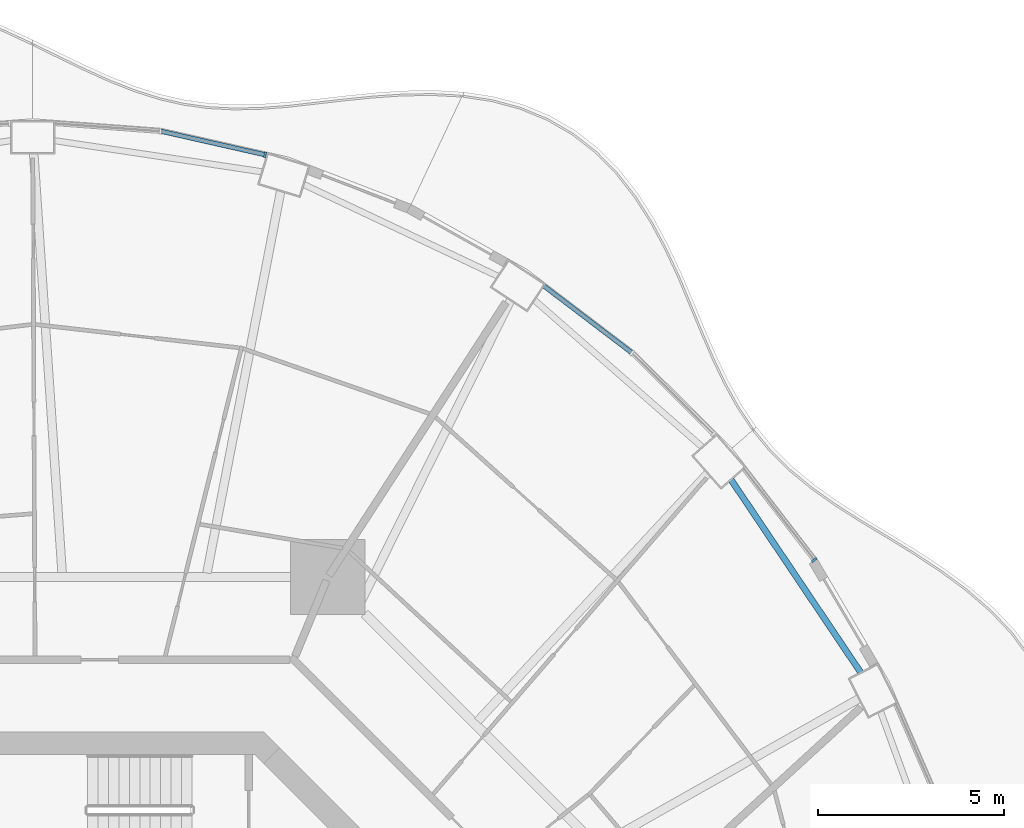
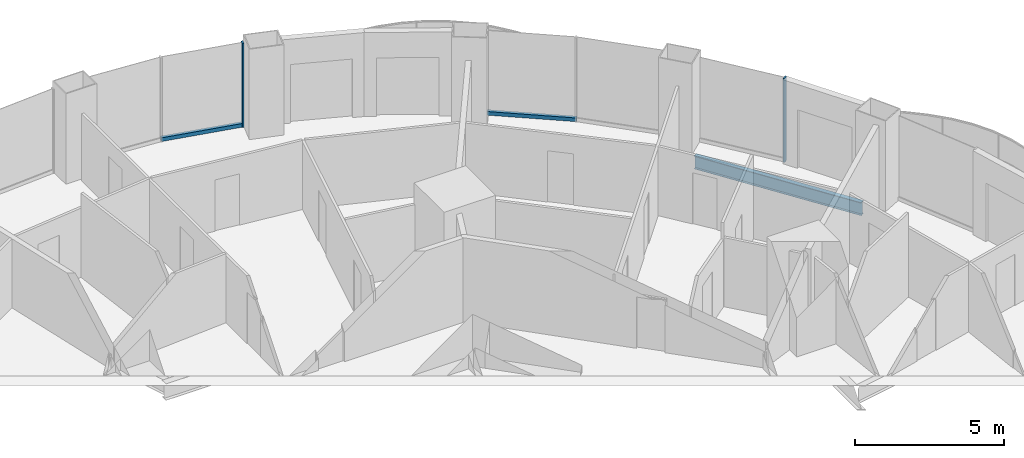
# One storey, part 9 of 20: 4 members, 1 beam, 3 elements without a shape of their own.
"""IFC4 building model written with IfcOpenShell, lengths in metres."""

import ifcopenshell
import ifcopenshell.guid

model = None  # the IFC model being written
_history = None  # IfcOwnerHistory: only IFC2X3 demands one
_inside = {}  # id of a spatial element -> (the spatial element, [elements in it])
_under = {}  # id of a project, library or spatial element -> (it, [spatial elements below it])
_declared = {}  # id of a project -> (the project, [libraries it declares])
_typed = {}  # id of a type object -> (the type object, [elements of that type])
_made_of = {}  # id of a material, layer set ... -> (it, [elements and type objects made of it])


def new_model(schema):
    """Start an empty IFC model of exactly this schema.

    Asked for "IFC4X3", IfcOpenShell would pick the latest addendum, in which some entities
    have other attributes; the version numbers below select the first issue.
    IFC2X3 requires an IfcOwnerHistory on every rooted entity: one is made here for all.
    """
    global model, _history
    if schema == "IFC4X3":
        model = ifcopenshell.file(schema_version=(4, 3, 0, 0))
    else:
        model = ifcopenshell.file(schema=schema)
    _inside.clear()
    _under.clear()
    _declared.clear()
    _typed.clear()
    _made_of.clear()
    _history = None
    if model.schema == "IFC2X3":
        org = make("IfcOrganization", Name="unknown")
        user = make(
            "IfcPersonAndOrganization",
            ThePerson=make("IfcPerson", FamilyName="unknown"),
            TheOrganization=org,
        )
        app = make(
            "IfcApplication",
            ApplicationDeveloper=org,
            Version="unknown",
            ApplicationFullName="unknown",
            ApplicationIdentifier="unknown",
        )
        _history = make(
            "IfcOwnerHistory",
            OwningUser=user,
            OwningApplication=app,
            ChangeAction="ADDED",
            CreationDate=0,
        )
    return model


def make(cls, **values):
    """One entity of the class cls with the attributes given. An attribute that is None is left unset."""
    return model.create_entity(
        cls, **{name: value for name, value in values.items() if value is not None}
    )


def rooted(cls, **values):
    """An entity with a GlobalId (a new one), such as an element, a storey or a relation."""
    return make(cls, GlobalId=ifcopenshell.guid.new(), OwnerHistory=_history, **values)


def si_unit(unit_type, name, prefix=None):
    """IfcSIUnit, for example si_unit("LENGTHUNIT", "METRE", prefix="MILLI")."""
    return make("IfcSIUnit", UnitType=unit_type, Prefix=prefix, Name=name)


def assignment(units):
    """IfcUnitAssignment: the units of a project."""
    return None if units is None else make("IfcUnitAssignment", Units=units)


def point(xyz):
    """IfcCartesianPoint."""
    return None if xyz is None else make("IfcCartesianPoint", Coordinates=xyz)


def direction(xyz):
    """IfcDirection."""
    return None if xyz is None else make("IfcDirection", DirectionRatios=xyz)


def frame(location, z_axis=None, x_axis=None):
    """IfcAxis2Placement3D, a coordinate frame: its origin and axes. An axis left out is left unset."""
    return make(
        "IfcAxis2Placement3D",
        Location=point(location),
        Axis=direction(z_axis),
        RefDirection=direction(x_axis),
    )


def frame_2d(location, x_axis=None):
    """IfcAxis2Placement2D, a coordinate frame in the plane: its origin and x axis."""
    return make(
        "IfcAxis2Placement2D", Location=point(location), RefDirection=direction(x_axis)
    )


def origin():
    """The frame at (0, 0, 0) with its axes left unset."""
    return frame((0.0, 0.0, 0.0))


def origin_2d():
    """The frame at (0, 0) in the plane with its x axis left unset."""
    return frame_2d((0.0, 0.0))


def place(relative_to, where):
    """IfcLocalPlacement: puts the frame where relative to a parent placement (None: the world)."""
    return make(
        "IfcLocalPlacement", PlacementRelTo=relative_to, RelativePlacement=where
    )


def context(
    kind, dimensions, precision=None, world=None, true_north=None, identifier=None
):
    """IfcGeometricRepresentationContext, for example the 3D "Model" context."""
    return make(
        "IfcGeometricRepresentationContext",
        ContextIdentifier=identifier,
        ContextType=kind,
        CoordinateSpaceDimension=dimensions,
        Precision=precision,
        WorldCoordinateSystem=world,
        TrueNorth=true_north,
    )


def subcontext(parent, identifier, kind, view, scale=None):
    """IfcGeometricRepresentationSubContext, for example "Body" below "Model"."""
    return make(
        "IfcGeometricRepresentationSubContext",
        ContextIdentifier=identifier,
        ContextType=kind,
        ParentContext=parent,
        TargetScale=scale,
        TargetView=view,
    )


def project(units=None, contexts=None):
    """IfcProject with its units and contexts."""
    return rooted(
        "IfcProject",
        Name="project",
        RepresentationContexts=contexts,
        UnitsInContext=assignment(units),
    )


def spatial(cls, under=None, at=None, **own):
    """A site, building, storey or space (cls), placed at a placement, below another one or the project."""
    s = rooted(cls, ObjectPlacement=at, **own)
    if under is not None:
        _under.setdefault(under.id(), (under, []))[1].append(s)
    return s


def profile(cls, at=None, kind="AREA", **sizes):
    """A parametric profile (cls). Its sizes go by their IFC names, for example OverallWidth=200.0."""
    return make(cls, ProfileType=kind, Position=at, **sizes)


def rectangle(**sizes):
    """IfcRectangleProfileDef."""
    return profile("IfcRectangleProfileDef", **sizes)


def i_section(**sizes):
    """IfcIShapeProfileDef."""
    return profile("IfcIShapeProfileDef", **sizes)


def extrude(swept, where, along, depth):
    """IfcExtrudedAreaSolid: the profile swept, set in the frame where, extruded along a direction by depth."""
    return make(
        "IfcExtrudedAreaSolid",
        SweptArea=swept,
        Position=where,
        ExtrudedDirection=direction(along),
        Depth=depth,
    )


def shape(context_of_items, identifier, shape_type, items):
    """IfcShapeRepresentation: the items that make up one representation, for example the "Body"."""
    return make(
        "IfcShapeRepresentation",
        ContextOfItems=context_of_items,
        RepresentationIdentifier=identifier,
        RepresentationType=shape_type,
        Items=items,
    )


def material(Name=None, Category=None):
    """IfcMaterial."""
    return make("IfcMaterial", Name=Name, Category=Category)


def layer(
    of_material, thickness, ventilated=None, Name=None, Category=None, Priority=None
):
    """IfcMaterialLayer: one layer of a wall or slab, of a material (None: an air gap)."""
    return make(
        "IfcMaterialLayer",
        Material=of_material,
        LayerThickness=thickness,
        IsVentilated=ventilated,
        Name=Name,
        Category=Category,
        Priority=Priority,
    )


def layer_set(layers, Name=None):
    """IfcMaterialLayerSet."""
    return make("IfcMaterialLayerSet", MaterialLayers=layers, LayerSetName=Name)


def material_profile(
    of_material, cross_section, Name=None, Category=None, Priority=None
):
    """IfcMaterialProfile: a cross section and its material."""
    return make(
        "IfcMaterialProfile",
        Name=Name,
        Material=of_material,
        Profile=cross_section,
        Priority=Priority,
        Category=Category,
    )


def profile_set(profiles, Name=None, composite=None):
    """IfcMaterialProfileSet."""
    return make(
        "IfcMaterialProfileSet",
        Name=Name,
        MaterialProfiles=profiles,
        CompositeProfile=composite,
    )


def made_of(thing, what):
    """Note that an element or type object is made of a material, layer set ...; save() writes the relation."""
    if what is not None:
        _made_of.setdefault(what.id(), (what, []))[1].append(thing)
    return thing


def type_object(cls, material=None, **own):
    """A type object (cls), such as IfcWallType, which elements share."""
    return made_of(rooted(cls, **own), material)


def element(
    cls,
    number,
    at=None,
    inside=None,
    cuts=None,
    type_object=None,
    material=None,
    context=None,
    identifier="Body",
    shape_type=None,
    held_by="IfcProductDefinitionShape",
    body=None,
    shapes=None,
    **own,
):
    """One element of the class cls, such as IfcWall. Its Tag is "e" and its number.

    at: its placement. inside: the storey or other place that contains it. cuts: it is an
    opening in that element (IfcRelVoidsElement). A single representation is given by context,
    identifier, shape_type and body (its items); several are given by shapes. held_by: the class
    of the entity that holds the representations. save() writes the other relations.
    """
    e = rooted(cls, Tag="e%d" % number, ObjectPlacement=at, **own)
    if body is not None:
        shapes = [shape(context, identifier, shape_type, body)]
    if shapes is not None:
        e.Representation = make(held_by, Representations=shapes)
    if inside is not None:
        _inside.setdefault(inside.id(), (inside, []))[1].append(e)
    if cuts is not None:
        rooted(
            "IfcRelVoidsElement", RelatingBuildingElement=cuts, RelatedOpeningElement=e
        )
    if type_object is not None:
        _typed.setdefault(type_object.id(), (type_object, []))[1].append(e)
    return made_of(e, material)


def aggregate(whole, parts):
    """IfcRelAggregates: a whole, such as a stair, and the parts it consists of."""
    return rooted("IfcRelAggregates", RelatingObject=whole, RelatedObjects=parts)


def save(model, path):
    """Write the relations noted so far, then the file.

    IfcRelAggregates (storeys below a building ...), IfcRelContainedInSpatialStructure (elements
    in a storey), IfcRelDefinesByType, IfcRelAssociatesMaterial and IfcRelDeclares: one each for
    every whole, place, type object, material and project.
    """
    for whole, parts in _under.values():
        aggregate(whole, parts)
    for where, things in _inside.values():
        rooted(
            "IfcRelContainedInSpatialStructure",
            RelatedElements=things,
            RelatingStructure=where,
        )
    for kind, things in _typed.values():
        rooted("IfcRelDefinesByType", RelatedObjects=things, RelatingType=kind)
    for what, things in _made_of.values():
        rooted("IfcRelAssociatesMaterial", RelatedObjects=things, RelatingMaterial=what)
    for by, libraries in _declared.values():
        rooted("IfcRelDeclares", RelatingContext=by, RelatedDefinitions=libraries)
    model.write(path)


model = new_model("IFC4")

# Units and contexts
model_context = context("Model", 3, precision=1e-05, world=origin(), true_north=direction((0.0, 1.0)))
body_context = subcontext(model_context, "Body", "Model", "MODEL_VIEW")
ifc_project = project(units=[si_unit("LENGTHUNIT", "METRE"), si_unit("AREAUNIT", "SQUARE_METRE"), si_unit("VOLUMEUNIT", "CUBIC_METRE"), si_unit("PLANEANGLEUNIT", "RADIAN"), si_unit("MASSUNIT", "GRAM", prefix="KILO")], contexts=[model_context])

# Site, building, storey
site_placement = place(None, origin())
site = spatial("IfcSite", under=ifc_project, at=site_placement, CompositionType="ELEMENT")
building_placement = place(site_placement, origin())
building = spatial("IfcBuilding", under=site, at=building_placement, Name="Nagisa Residences", CompositionType="ELEMENT")
storey_placement = place(building_placement, frame((0.0, 0.0, 152.89990234375)))
storey = spatial("IfcBuildingStorey", under=building, at=storey_placement, Name="L38", CompositionType="ELEMENT", Elevation=152.89990234375)

# Curtain wall, member
ifc_material_1 = material(Name="Concrete-coloured aluminium curtain wall system", Category="concrete")
ifc_layer = layer(ifc_material_1, 0.159912109375)
ifc_layer_set = layer_set([ifc_layer], Name="CW1 CURTAIN WALL")
curtain_wall_type = type_object("IfcCurtainWallType", Name="CW1 CURTAIN WALL", PredefinedType="NOTDEFINED", material=ifc_layer_set)
curtain_wall_1_placement = place(storey_placement, origin())
curtain_wall_1 = element("IfcCurtainWall", 1, at=curtain_wall_1_placement, inside=storey, type_object=curtain_wall_type, Name="cw:CW1:L38:05", PredefinedType="NOTDEFINED")
ifc_material_2 = material(Name="Concrete-coloured aluminium", Category="concrete")
ifc_material_profile_1 = material_profile(ifc_material_2, rectangle(XDim=0.159912109375, YDim=0.06005859375, at=origin_2d()), Name="CW1 MULLION 160x60")
ifc_profile_set_1 = profile_set([ifc_material_profile_1], Name="Concrete-coloured aluminium")
member_type_1 = type_object("IfcMemberType", Name="CW1 MULLION 160x60", PredefinedType="MULLION", material=ifc_profile_set_1)
member_1_placement = place(storey_placement, frame((19.169921875, 15.23876953125, 0.0), z_axis=(0.0, 0.0, 1.0), x_axis=(-0.792070340816, -0.610429828235, 0.0)))
member_1 = element("IfcMember", 2, at=member_1_placement, type_object=member_type_1, Name="CW1 mullion", PredefinedType="MULLION", context=body_context, shape_type="SweptSolid", body=[
    extrude(rectangle(XDim=0.159912109375, YDim=0.06005859375, at=origin_2d()), origin(), (0.0, 0.0, 1.0), 3.440185546875),
])
aggregate(curtain_wall_1, [member_1])

curtain_wall_2_placement = place(storey_placement, origin())
curtain_wall_2 = element("IfcCurtainWall", 3, at=curtain_wall_2_placement, inside=storey, type_object=curtain_wall_type, Name="cw:CW1:L38:10", PredefinedType="NOTDEFINED")
member_2_placement = place(storey_placement, frame((4.435546875, 26.109375, 0.0), z_axis=(0.0, 0.0, 1.0), x_axis=(-0.2207639201, -0.975327274089, 0.0)))
member_2 = element("IfcMember", 4, at=member_2_placement, type_object=member_type_1, Name="CW1 mullion", PredefinedType="MULLION", context=body_context, shape_type="SweptSolid", body=[
    extrude(rectangle(XDim=0.159912109375, YDim=0.06005859375, at=origin_2d()), origin(), (0.0, 0.0, 1.0), 3.440185546875),
])

curtain_wall_3_placement = place(storey_placement, origin())
curtain_wall_3 = element("IfcCurtainWall", 5, at=curtain_wall_3_placement, inside=storey, type_object=curtain_wall_type, Name="cw:CW1:L38:07", PredefinedType="NOTDEFINED")
ifc_material_3 = material(Name="Concrete-coloured aluminium", Category="concrete")
ifc_material_profile_2 = material_profile(ifc_material_3, rectangle(XDim=0.1201171875, YDim=0.14990234375, at=origin_2d()), Name="CW1 TRANSOM 120x150")
ifc_profile_set_2 = profile_set([ifc_material_profile_2], Name="Concrete-coloured aluminium")
member_type_2 = type_object("IfcMemberType", Name="CW1 TRANSOM 120x150", PredefinedType="USERDEFINED", material=ifc_profile_set_2)
member_3_placement = place(storey_placement, frame((14.30517578125, 20.77392578125, 0.0751953125), z_axis=(-0.796022231079, 0.605267385233, 0.0), x_axis=(-0.605267385233, -0.796022231079, 0.0)))
member_3 = element("IfcMember", 6, at=member_3_placement, type_object=member_type_2, Name="CW1 transom", ObjectType="TRANSOM", PredefinedType="USERDEFINED", context=body_context, shape_type="SweptSolid", body=[
    extrude(rectangle(XDim=0.1201171875, YDim=0.14990234375, at=origin_2d()), origin(), (0.0, 0.0, 1.0), 3.025634765625),
])
aggregate(curtain_wall_3, [member_3])

# Member
member_4_placement = place(storey_placement, frame((4.46484375, 26.102783203125, 0.0751953125), z_axis=(-0.975320849653, 0.220792301117, 0.0), x_axis=(-0.220792301117, -0.975320849653, 0.0)))
member_4 = element("IfcMember", 7, at=member_4_placement, type_object=member_type_2, Name="CW1 transom", ObjectType="TRANSOM", PredefinedType="USERDEFINED", context=body_context, shape_type="SweptSolid", body=[
    extrude(rectangle(XDim=0.1201171875, YDim=0.14990234375, at=origin_2d()), origin(), (0.0, 0.0, 1.0), 2.890380859375),
])

aggregate(curtain_wall_2, [member_2, member_4])

# Beam
ifc_material_4 = material(Name="Steel ASTM A572 Gr 50", Category="steel")
ifc_material_profile_3 = material_profile(ifc_material_4, i_section(OverallWidth=0.166015625, OverallDepth=0.534912109375, WebThickness=0.01025390625, FlangeThickness=0.0166015625, at=origin_2d()), Name="W530x85")
ifc_profile_set_3 = profile_set([ifc_material_profile_3], Name="Steel ASTM A572 Gr 50")
beam_type = type_object("IfcBeamType", Name="Perimeter ring beam W530x85", PredefinedType="BEAM", material=ifc_profile_set_3)
beam_placement = place(storey_placement, frame((20.420654296875, 12.21484375, -0.52734375), z_axis=(-0.558187951157, 0.82971453596, 0.0), x_axis=(-0.82971453596, -0.558187951157, 0.0)))
element("IfcBeam", 8, at=beam_placement, inside=storey, type_object=beam_type, Name="beam:L38:pb03", PredefinedType="BEAM", context=body_context, shape_type="SweptSolid", body=[
    extrude(i_section(OverallWidth=0.166015625, OverallDepth=0.534912109375, WebThickness=0.01025390625, FlangeThickness=0.0166015625, at=origin_2d()), origin(), (0.0, 0.0, 1.0), 6.24267578125),
])

save(model, "model.ifc")
